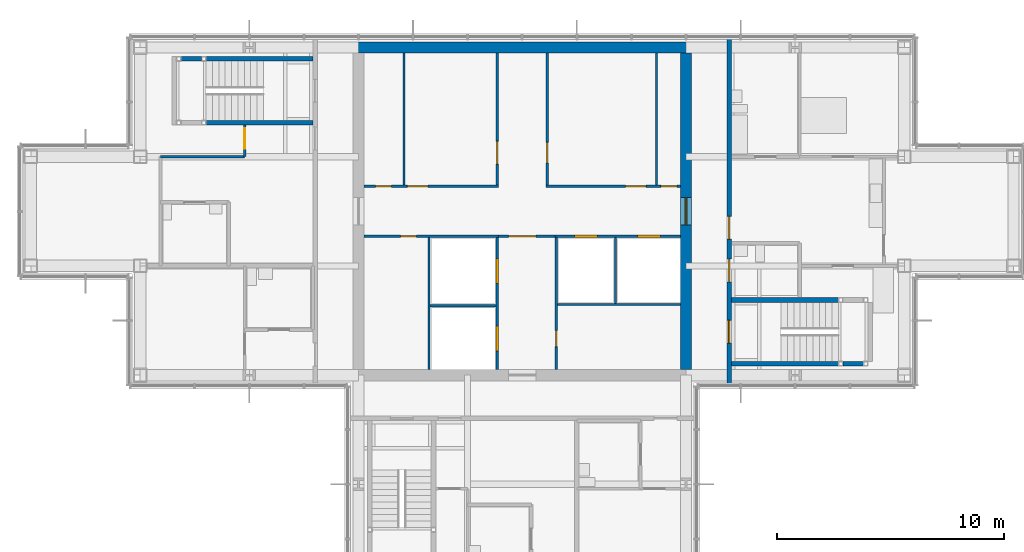
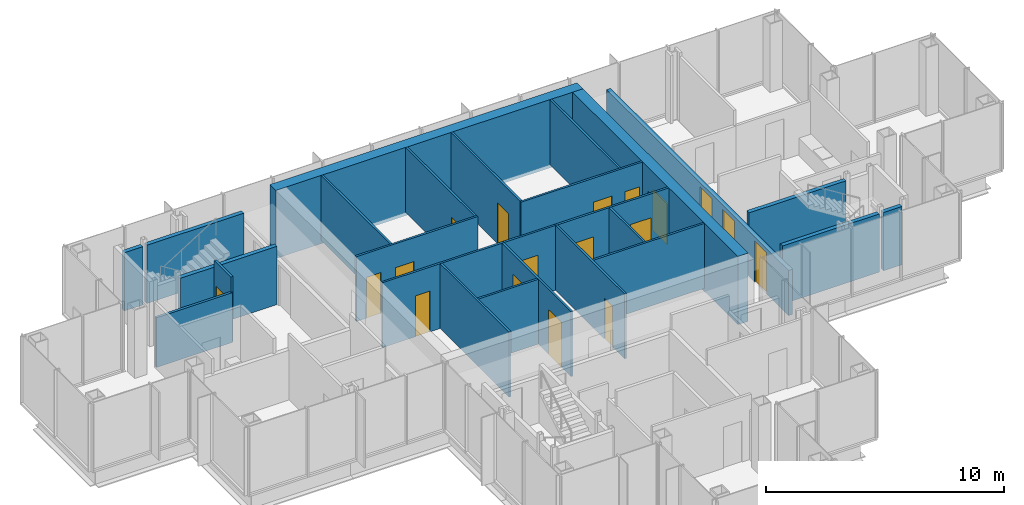
# One storey, part 11 of 15: 26 walls, 18 doors, 18 openings.
"""IFC4 building model written with IfcOpenShell, lengths in metres."""

from ifc_helpers import new_model, si_unit, direction, frame, frame_2d, origin, place, context, subcontext, project, spatial, rectangle, extrude, material, layer, layer_set, type_object, element, fill, save


model = new_model("IFC4")

# Units and contexts
model_context = context("Model", 3, precision=1e-05, world=origin(), true_north=direction((0.0, 1.0)))
body_context = subcontext(model_context, "Body", "Model", "MODEL_VIEW")
ifc_project = project(units=[si_unit("LENGTHUNIT", "METRE"), si_unit("AREAUNIT", "SQUARE_METRE"), si_unit("VOLUMEUNIT", "CUBIC_METRE"), si_unit("PLANEANGLEUNIT", "RADIAN"), si_unit("MASSUNIT", "GRAM", prefix="KILO")], contexts=[model_context])

# Site, building, storey
site_placement = place(None, origin())
site = spatial("IfcSite", under=ifc_project, at=site_placement, CompositionType="ELEMENT")
building_placement = place(site_placement, origin())
building = spatial("IfcBuilding", under=site, at=building_placement, Name="Kvirike Care Tower", CompositionType="ELEMENT")
storey_placement = place(building_placement, frame((0.0, 0.0, 226.0)))
storey = spatial("IfcBuildingStorey", under=building, at=storey_placement, Name="L62", CompositionType="ELEMENT", Elevation=226.0)

# Wall
ifc_material_1 = material(Name="Concrete C40/50", Category="concrete")
ifc_layer_1 = layer(ifc_material_1, 0.5)
ifc_layer_set_1 = layer_set([ifc_layer_1], Name="CORE WALL 500 C40-50")
wall_type_1 = type_object("IfcWallType", Name="CORE WALL 500 C40-50", PredefinedType="SHEAR", material=ifc_layer_set_1)
wall_1_placement = place(storey_placement, frame((29.050048828125, 43.199951171875, -0.169921875), z_axis=(0.0, 0.0, 1.0), x_axis=(-1.0, 0.0, 0.0)))
element("IfcWall", 1, at=wall_1_placement, inside=storey, type_object=wall_type_1, Name="Core wall N L62", PredefinedType="SHEAR", context=body_context, shape_type="SweptSolid", body=[
    extrude(rectangle(XDim=14.900146484375, YDim=0.5, at=frame_2d((7.4501953125, 0.0))), origin(), (0.0, 0.0, 1.0), 3.5),
])

# Wall, opening, door
wall_2_placement = place(storey_placement, frame((28.800048828125, 29.050048828125, -0.169921875), z_axis=(0.0, 0.0, 1.0), x_axis=(0.0, 1.0, 0.0)))
wall_2 = element("IfcWall", 2, at=wall_2_placement, inside=storey, type_object=wall_type_1, Name="Core wall E L62", PredefinedType="SHEAR", context=body_context, shape_type="SweptSolid", body=[
    extrude(rectangle(XDim=13.89990234375, YDim=0.5, at=frame_2d((6.949951171875, 0.0))), origin(), (0.0, 0.0, 1.0), 3.5),
])
opening_1_placement = place(wall_2_placement, frame((6.35009765625, 0.0, 0.169921875)))
opening_1 = element("IfcOpeningElement", 3, at=opening_1_placement, cuts=wall_2, Name="Opening 62-038", PredefinedType="OPENING", context=body_context, shape_type="SweptSolid", body=[
    extrude(rectangle(XDim=1.199951171875, YDim=2.10009765625, at=frame_2d((0.60009765625, 1.050048828125))), frame((0.0, 0.260498046875, 0.0), z_axis=(0.0, -1.0, 0.0), x_axis=(1.0, 0.0, 0.0)), (0.0, 0.0, 1.0), 0.52099609375),
])
ifc_material_2 = material(Name="Timber door set", Category="wood")
door_type_1 = type_object("IfcDoorType", Name="CORE DOOR 1200", OperationType="SINGLE_SWING_LEFT", PredefinedType="DOOR", material=ifc_material_2)
door_1_placement = place(opening_1_placement, origin())
door_1 = element("IfcDoor", 4, at=door_1_placement, inside=storey, type_object=door_type_1, Name="Core door E L62", OperationType="SINGLE_SWING_LEFT", OverallHeight=2.10009765625, OverallWidth=1.199951171875, PredefinedType="DOOR", context=body_context, shape_type="SweptSolid", body=[
    extrude(rectangle(XDim=1.199951171875, YDim=2.10009765625, at=frame_2d((0.60009765625, 1.050048828125))), frame((0.0, 0.02685546875, 0.0), z_axis=(0.0, -1.0, 0.0), x_axis=(1.0, 0.0, 0.0)), (0.0, 0.0, 1.0), 0.053955078125),
])
fill(opening_1, door_1)

# Wall, openings, doors
ifc_material_3 = material(Name="Plasterboard corridor wall", Category="gypsum")
ifc_layer_2 = layer(ifc_material_3, 0.199951171875)
ifc_layer_set_2 = layer_set([ifc_layer_2], Name="CORRIDOR WALL 200")
wall_type_2 = type_object("IfcWallType", Name="CORRIDOR WALL 200", PredefinedType="PARTITIONING", material=ifc_layer_set_2)
wall_3_placement = place(storey_placement, frame((30.699951171875, 28.344970703125, 0.0), z_axis=(0.0, 0.0, 1.0), x_axis=(0.0, 1.0, 0.0)))
wall_3 = element("IfcWall", 5, at=wall_3_placement, inside=storey, type_object=wall_type_2, Name="Corridor Wall 200 L62", PredefinedType="PARTITIONING", context=body_context, shape_type="SweptSolid", body=[
    extrude(rectangle(XDim=15.31005859375, YDim=0.199951171875, at=frame_2d((7.655029296875, 0.0))), origin(), (0.0, 0.0, 1.0), 2.320068359375),
])
opening_2_placement = place(wall_3_placement, frame((1.85498046875, 0.0, 0.0)))
opening_2 = element("IfcOpeningElement", 6, at=opening_2_placement, cuts=wall_3, Name="Opening 62-020", PredefinedType="OPENING", context=body_context, shape_type="SweptSolid", body=[
    extrude(rectangle(XDim=1.0, YDim=2.10009765625, at=frame_2d((0.5, 1.050048828125))), frame((0.0, 0.110595703125, 0.0), z_axis=(0.0, -1.0, 0.0), x_axis=(1.0, 0.0, 0.0)), (0.0, 0.0, 1.0), 0.220947265625),
])
opening_3_placement = place(wall_3_placement, frame((4.554931640625, 0.0, 0.0)))
opening_3 = element("IfcOpeningElement", 7, at=opening_3_placement, cuts=wall_3, Name="Opening 62-021", PredefinedType="OPENING", context=body_context, shape_type="SweptSolid", body=[
    extrude(rectangle(XDim=1.0, YDim=2.10009765625, at=frame_2d((0.5, 1.050048828125))), frame((0.0, 0.110595703125, 0.0), z_axis=(0.0, -1.0, 0.0), x_axis=(1.0, 0.0, 0.0)), (0.0, 0.0, 1.0), 0.220947265625),
])
opening_4_placement = place(wall_3_placement, frame((6.429931640625, 0.0, 0.0)))
opening_4 = element("IfcOpeningElement", 8, at=opening_4_placement, cuts=wall_3, Name="Opening 62-022", PredefinedType="OPENING", context=body_context, shape_type="SweptSolid", body=[
    extrude(rectangle(XDim=1.0, YDim=2.10009765625, at=frame_2d((0.5, 1.050048828125))), frame((0.0, 0.110595703125, 0.0), z_axis=(0.0, -1.0, 0.0), x_axis=(1.0, 0.0, 0.0)), (0.0, 0.0, 1.0), 0.220947265625),
])
ifc_material_4 = material(Name="Timber door set", Category="wood")
door_type_2 = type_object("IfcDoorType", Name="FLAT ENTRANCE DOOR 1000", OperationType="SINGLE_SWING_LEFT", PredefinedType="DOOR", material=ifc_material_4)
door_2_placement = place(opening_4_placement, frame((1.0, 0.0, 0.0), z_axis=(0.0, 0.0, 1.0), x_axis=(-1.0, 0.0, 0.0)))
door_2 = element("IfcDoor", 9, at=door_2_placement, inside=storey, type_object=door_type_2, Name="Two-bedroom apartment entrance", OperationType="SINGLE_SWING_LEFT", OverallHeight=2.10009765625, OverallWidth=1.0, PredefinedType="DOOR", context=body_context, shape_type="SweptSolid", body=[
    extrude(rectangle(XDim=1.0, YDim=2.10009765625, at=frame_2d((0.5, 1.050048828125))), frame((0.0, 0.02685546875, 0.0), z_axis=(0.0, -1.0, 0.0), x_axis=(1.0, 0.0, 0.0)), (0.0, 0.0, 1.0), 0.053955078125),
])
fill(opening_4, door_2)
ifc_material_5 = material(Name="Timber door set", Category="wood")
door_type_3 = type_object("IfcDoorType", Name="STAIR DOOR 1000", OperationType="SINGLE_SWING_LEFT", PredefinedType="DOOR", material=ifc_material_5)
door_3_placement = place(opening_2_placement, frame((1.0, 0.0, 0.0), z_axis=(0.0, 0.0, 1.0), x_axis=(-1.0, 0.0, 0.0)))
door_3 = element("IfcDoor", 10, at=door_3_placement, inside=storey, type_object=door_type_3, Name="Stair 2 door", OperationType="SINGLE_SWING_RIGHT", OverallHeight=2.10009765625, OverallWidth=1.0, PredefinedType="DOOR", context=body_context, shape_type="SweptSolid", body=[
    extrude(rectangle(XDim=1.0, YDim=2.10009765625, at=frame_2d((0.5, 1.050048828125))), frame((0.0, 0.031982421875, 0.0), z_axis=(0.0, -1.0, 0.0), x_axis=(1.0, 0.0, 0.0)), (0.0, 0.0, 1.0), 0.06396484375),
])
fill(opening_2, door_3)
ifc_material_6 = material(Name="Timber door set", Category="wood")
door_type_4 = type_object("IfcDoorType", Name="WC DOOR 1000", OperationType="SINGLE_SWING_LEFT", PredefinedType="DOOR", material=ifc_material_6)
door_4_placement = place(opening_3_placement, frame((1.0, 0.0, 0.0), z_axis=(0.0, 0.0, 1.0), x_axis=(-1.0, 0.0, 0.0)))
door_4 = element("IfcDoor", 11, at=door_4_placement, inside=storey, type_object=door_type_4, Name="Accessible WC door", OperationType="SINGLE_SWING_LEFT", OverallHeight=2.10009765625, OverallWidth=1.0, PredefinedType="DOOR", context=body_context, shape_type="SweptSolid", body=[
    extrude(rectangle(XDim=1.0, YDim=2.10009765625, at=frame_2d((0.5, 1.050048828125))), frame((0.0, 0.02685546875, 0.0), z_axis=(0.0, -1.0, 0.0), x_axis=(1.0, 0.0, 0.0)), (0.0, 0.0, 1.0), 0.053955078125),
])
fill(opening_3, door_4)

# Wall, opening, door
ifc_material_7 = material(Name="Plasterboard partition", Category="gypsum")
ifc_layer_3 = layer(ifc_material_7, 0.1201171875)
ifc_layer_set_3 = layer_set([ifc_layer_3], Name="PARTITION 120")
wall_type_3 = type_object("IfcWallType", Name="PARTITION 120", PredefinedType="PARTITIONING", material=ifc_layer_set_3)
wall_4_placement = place(storey_placement, frame((9.39990234375, 39.800048828125, 0.0), z_axis=(0.0, 0.0, 1.0), x_axis=(0.0, -1.0, 0.0)))
wall_4 = element("IfcWall", 12, at=wall_4_placement, inside=storey, type_object=wall_type_3, Name="Partition 120 L62", PredefinedType="PARTITIONING", context=body_context, shape_type="SweptSolid", body=[
    extrude(rectangle(XDim=1.400146484375, YDim=0.1201171875, at=frame_2d((0.7001953125, 0.0))), origin(), (0.0, 0.0, 1.0), 3.330078125),
])
opening_5_placement = place(wall_4_placement, frame((0.14990234375, 0.0, 0.0)))
opening_5 = element("IfcOpeningElement", 13, at=opening_5_placement, cuts=wall_4, Name="Opening 62-002", PredefinedType="OPENING", context=body_context, shape_type="SweptSolid", body=[
    extrude(rectangle(XDim=0.89990234375, YDim=2.10009765625, at=frame_2d((0.449951171875, 1.050048828125))), frame((0.0, 0.070556640625, 0.0), z_axis=(0.0, -1.0, 0.0), x_axis=(1.0, 0.0, 0.0)), (0.0, 0.0, 1.0), 0.14111328125),
])
ifc_material_8 = material(Name="Timber door set", Category="wood")
door_type_5 = type_object("IfcDoorType", Name="INTERNAL DOOR 900", OperationType="SINGLE_SWING_LEFT", PredefinedType="DOOR", material=ifc_material_8)
door_5_placement = place(opening_5_placement, origin())
door_5 = element("IfcDoor", 14, at=door_5_placement, inside=storey, type_object=door_type_5, Name="Staff training room door", OperationType="SINGLE_SWING_RIGHT", OverallHeight=2.10009765625, OverallWidth=0.89990234375, PredefinedType="DOOR", context=body_context, shape_type="SweptSolid", body=[
    extrude(rectangle(XDim=0.89990234375, YDim=2.10009765625, at=frame_2d((0.449951171875, 1.050048828125))), frame((0.0, 0.02197265625, 0.0), z_axis=(0.0, -1.0, 0.0), x_axis=(1.0, 0.0, 0.0)), (0.0, 0.0, 1.0), 0.0439453125),
])
fill(opening_5, door_5)

# Walls
wall_5_placement = place(storey_placement, frame((5.699951171875, 38.39990234375, 0.0), z_axis=(0.0, 0.0, 1.0), x_axis=(1.0, 0.0, 0.0)))
element("IfcWall", 15, at=wall_5_placement, inside=storey, type_object=wall_type_3, Name="Partition 120 L62", PredefinedType="PARTITIONING", context=body_context, shape_type="SweptSolid", body=[
    extrude(rectangle(XDim=3.699951171875, YDim=0.1201171875, at=frame_2d((1.85009765625, 0.0))), origin(), (0.0, 0.0, 1.0), 2.550048828125),
])
ifc_material_9 = material(Name="Gypsum shaft wall system", Category="gypsum")
ifc_layer_4 = layer(ifc_material_9, 0.10009765625)
ifc_layer_set_4 = layer_set([ifc_layer_4], Name="SHAFT WALL 100")
wall_type_4 = type_object("IfcWallType", Name="SHAFT WALL 100", PredefinedType="SOLIDWALL", material=ifc_layer_set_4)
for number, where, z_axis, x_axis, name in (
    (16, (16.39990234375, 37.14990234375, 0.0), (0.0, 0.0, 1.0), (0.0, 1.0, 0.0), "Shaft Wall 100 L62"),
    (17, (27.5, 37.14990234375, 0.0), (0.0, 0.0, 1.0), (0.0, 1.0, 0.0), "Shaft Wall 100 L62"),
):
    element("IfcWall", number, at=place(storey_placement, frame(where, z_axis=z_axis, x_axis=x_axis)), inside=storey, type_object=wall_type_4, Name=name, PredefinedType="SOLIDWALL", context=body_context, shape_type="SweptSolid", body=[
        extrude(rectangle(XDim=5.800048828125, YDim=0.10009765625, at=frame_2d((2.89990234375, 0.0))), origin(), (0.0, 0.0, 1.0), 3.330078125),
    ])

# Wall, openings, doors
wall_6_placement = place(storey_placement, frame((20.5, 29.050048828125, 0.0), z_axis=(0.0, 0.0, 1.0), x_axis=(0.0, 1.0, 0.0)))
wall_6 = element("IfcWall", 18, at=wall_6_placement, inside=storey, type_object=wall_type_4, Name="Shaft Wall 100 L62", PredefinedType="SOLIDWALL", context=body_context, shape_type="SweptSolid", body=[
    extrude(rectangle(XDim=5.800048828125, YDim=0.10009765625, at=frame_2d((2.89990234375, 0.0))), origin(), (0.0, 0.0, 1.0), 3.330078125),
])
opening_6_placement = place(wall_6_placement, frame((0.800048828125, 0.0, 0.0)))
opening_6 = element("IfcOpeningElement", 19, at=opening_6_placement, cuts=wall_6, Name="Opening 62-023", PredefinedType="OPENING", context=body_context, shape_type="SweptSolid", body=[
    extrude(rectangle(XDim=1.10009765625, YDim=2.300048828125, at=frame_2d((0.550048828125, 1.14990234375))), frame((0.0, 0.060546875, 0.0), z_axis=(0.0, -1.0, 0.0), x_axis=(1.0, 0.0, 0.0)), (0.0, 0.0, 1.0), 0.12109375),
])
opening_7_placement = place(wall_6_placement, frame((3.77490234375, 0.0, 0.0)))
opening_7 = element("IfcOpeningElement", 20, at=opening_7_placement, cuts=wall_6, Name="Opening 62-024", PredefinedType="OPENING", context=body_context, shape_type="SweptSolid", body=[
    extrude(rectangle(XDim=1.10009765625, YDim=2.300048828125, at=frame_2d((0.550048828125, 1.14990234375))), frame((0.0, 0.060546875, 0.0), z_axis=(0.0, -1.0, 0.0), x_axis=(1.0, 0.0, 0.0)), (0.0, 0.0, 1.0), 0.12109375),
])
ifc_material_10 = material(Name="Aluminium door frame", Category="aluminium")
door_type_6 = type_object("IfcDoorType", Name="FIRE-FIGHTING LIFT LANDING DOOR 1100", OperationType="SLIDING_TO_LEFT", PredefinedType="DOOR", material=ifc_material_10)
door_6_placement = place(opening_6_placement, origin())
door_6 = element("IfcDoor", 21, at=door_6_placement, inside=storey, type_object=door_type_6, Name="Lift FF1 landing door", OperationType="SLIDING_TO_LEFT", OverallHeight=2.300048828125, OverallWidth=1.10009765625, PredefinedType="DOOR", context=body_context, shape_type="SweptSolid", body=[
    extrude(rectangle(XDim=1.10009765625, YDim=2.300048828125, at=frame_2d((0.550048828125, 1.14990234375))), frame((0.0, 0.0498046875, 0.0), z_axis=(0.0, -1.0, 0.0), x_axis=(1.0, 0.0, 0.0)), (0.0, 0.0, 1.0), 0.099609375),
])
fill(opening_6, door_6)
door_7_placement = place(opening_7_placement, origin())
door_7 = element("IfcDoor", 22, at=door_7_placement, inside=storey, type_object=door_type_6, Name="Lift FF2 landing door", OperationType="SLIDING_TO_LEFT", OverallHeight=2.300048828125, OverallWidth=1.10009765625, PredefinedType="DOOR", context=body_context, shape_type="SweptSolid", body=[
    extrude(rectangle(XDim=1.10009765625, YDim=2.300048828125, at=frame_2d((0.550048828125, 1.14990234375))), frame((0.0, 0.0498046875, 0.0), z_axis=(0.0, -1.0, 0.0), x_axis=(1.0, 0.0, 0.0)), (0.0, 0.0, 1.0), 0.099609375),
])
fill(opening_7, door_7)

# Wall, opening, door
wall_7_placement = place(storey_placement, frame((20.5, 37.14990234375, 0.0), z_axis=(0.0, 0.0, 1.0), x_axis=(0.0, 1.0, 0.0)))
wall_7 = element("IfcWall", 23, at=wall_7_placement, inside=storey, type_object=wall_type_4, Name="Shaft Wall 100 L62", PredefinedType="SOLIDWALL", context=body_context, shape_type="SweptSolid", body=[
    extrude(rectangle(XDim=5.800048828125, YDim=0.10009765625, at=frame_2d((2.89990234375, 0.0))), origin(), (0.0, 0.0, 1.0), 3.330078125),
])
opening_8_placement = place(wall_7_placement, frame((0.925048828125, 0.0, 0.0)))
opening_8 = element("IfcOpeningElement", 24, at=opening_8_placement, cuts=wall_7, Name="Opening 62-025", PredefinedType="OPENING", context=body_context, shape_type="SweptSolid", body=[
    extrude(rectangle(XDim=1.0, YDim=2.10009765625, at=frame_2d((0.5, 1.050048828125))), frame((0.0, 0.060546875, 0.0), z_axis=(0.0, -1.0, 0.0), x_axis=(1.0, 0.0, 0.0)), (0.0, 0.0, 1.0), 0.12109375),
])
door_8_placement = place(opening_8_placement, origin())
door_8 = element("IfcDoor", 25, at=door_8_placement, inside=storey, type_object=door_type_4, Name="Staff WC door", OperationType="SINGLE_SWING_RIGHT", OverallHeight=2.10009765625, OverallWidth=1.0, PredefinedType="DOOR", context=body_context, shape_type="SweptSolid", body=[
    extrude(rectangle(XDim=1.0, YDim=2.10009765625, at=frame_2d((0.5, 1.050048828125))), frame((0.0, 0.02685546875, 0.0), z_axis=(0.0, -1.0, 0.0), x_axis=(1.0, 0.0, 0.0)), (0.0, 0.0, 1.0), 0.053955078125),
])
fill(opening_8, door_8)

wall_8_placement = place(storey_placement, frame((22.699951171875, 37.14990234375, 0.0), z_axis=(0.0, 0.0, 1.0), x_axis=(0.0, 1.0, 0.0)))
wall_8 = element("IfcWall", 26, at=wall_8_placement, inside=storey, type_object=wall_type_4, Name="Shaft Wall 100 L62", PredefinedType="SOLIDWALL", context=body_context, shape_type="SweptSolid", body=[
    extrude(rectangle(XDim=5.800048828125, YDim=0.10009765625, at=frame_2d((2.89990234375, 0.0))), origin(), (0.0, 0.0, 1.0), 3.330078125),
])
opening_9_placement = place(wall_8_placement, frame((0.97509765625, 0.0, 0.0)))
opening_9 = element("IfcOpeningElement", 27, at=opening_9_placement, cuts=wall_8, Name="Opening 62-026", PredefinedType="OPENING", context=body_context, shape_type="SweptSolid", body=[
    extrude(rectangle(XDim=0.89990234375, YDim=2.10009765625, at=frame_2d((0.449951171875, 1.050048828125))), frame((0.0, 0.060546875, 0.0), z_axis=(0.0, -1.0, 0.0), x_axis=(1.0, 0.0, 0.0)), (0.0, 0.0, 1.0), 0.12109375),
])
ifc_material_11 = material(Name="Timber door set", Category="wood")
door_type_7 = type_object("IfcDoorType", Name="STORE DOOR 900", OperationType="SINGLE_SWING_LEFT", PredefinedType="DOOR", material=ifc_material_11)
door_9_placement = place(opening_9_placement, frame((0.89990234375, 0.0, 0.0), z_axis=(0.0, 0.0, 1.0), x_axis=(-1.0, 0.0, 0.0)))
door_9 = element("IfcDoor", 28, at=door_9_placement, inside=storey, type_object=door_type_7, Name="Housekeeping office door", OperationType="SINGLE_SWING_LEFT", OverallHeight=2.10009765625, OverallWidth=0.89990234375, PredefinedType="DOOR", context=body_context, shape_type="SweptSolid", body=[
    extrude(rectangle(XDim=0.89990234375, YDim=2.10009765625, at=frame_2d((0.449951171875, 1.050048828125))), frame((0.0, 0.02685546875, 0.0), z_axis=(0.0, -1.0, 0.0), x_axis=(1.0, 0.0, 0.0)), (0.0, 0.0, 1.0), 0.053955078125),
])
fill(opening_9, door_9)

wall_9_placement = place(storey_placement, frame((23.10009765625, 29.050048828125, 0.0), z_axis=(0.0, 0.0, 1.0), x_axis=(0.0, 1.0, 0.0)))
wall_9 = element("IfcWall", 29, at=wall_9_placement, inside=storey, type_object=wall_type_4, Name="Shaft Wall 100 L62", PredefinedType="SOLIDWALL", context=body_context, shape_type="SweptSolid", body=[
    extrude(rectangle(XDim=5.800048828125, YDim=0.10009765625, at=frame_2d((2.89990234375, 0.0))), origin(), (0.0, 0.0, 1.0), 3.330078125),
])
opening_10_placement = place(wall_9_placement, frame((1.0, 0.0, 0.0)))
opening_10 = element("IfcOpeningElement", 30, at=opening_10_placement, cuts=wall_9, Name="Opening 62-027", PredefinedType="OPENING", context=body_context, shape_type="SweptSolid", body=[
    extrude(rectangle(XDim=0.699951171875, YDim=2.10009765625, at=frame_2d((0.35009765625, 1.050048828125))), frame((0.0, 0.060546875, 0.0), z_axis=(0.0, -1.0, 0.0), x_axis=(1.0, 0.0, 0.0)), (0.0, 0.0, 1.0), 0.12109375),
])
ifc_material_12 = material(Name="Timber door set", Category="wood")
door_type_8 = type_object("IfcDoorType", Name="RISER DOOR 700", OperationType="SINGLE_SWING_LEFT", PredefinedType="DOOR", material=ifc_material_12)
door_10_placement = place(opening_10_placement, origin())
door_10 = element("IfcDoor", 31, at=door_10_placement, inside=storey, type_object=door_type_8, Name="Riser door", OperationType="SINGLE_SWING_RIGHT", OverallHeight=2.10009765625, OverallWidth=0.699951171875, PredefinedType="DOOR", context=body_context, shape_type="SweptSolid", body=[
    extrude(rectangle(XDim=0.699951171875, YDim=2.10009765625, at=frame_2d((0.35009765625, 1.050048828125))), frame((0.0, 0.02685546875, 0.0), z_axis=(0.0, -1.0, 0.0), x_axis=(1.0, 0.0, 0.0)), (0.0, 0.0, 1.0), 0.053955078125),
])
fill(opening_10, door_10)

wall_10_placement = place(storey_placement, frame((14.64990234375, 34.89990234375, 0.0), z_axis=(0.0, 0.0, 1.0), x_axis=(1.0, 0.0, 0.0)))
wall_10 = element("IfcWall", 32, at=wall_10_placement, inside=storey, type_object=wall_type_4, Name="Shaft Wall 100 L62", PredefinedType="SOLIDWALL", context=body_context, shape_type="SweptSolid", body=[
    extrude(rectangle(XDim=5.900146484375, YDim=0.10009765625, at=frame_2d((2.9501953125, 0.0))), origin(), (0.0, 0.0, 1.0), 3.330078125),
])
opening_11_placement = place(wall_10_placement, frame((1.60009765625, 0.0, 0.0)))
opening_11 = element("IfcOpeningElement", 33, at=opening_11_placement, cuts=wall_10, Name="Opening 62-028", PredefinedType="OPENING", context=body_context, shape_type="SweptSolid", body=[
    extrude(rectangle(XDim=0.699951171875, YDim=2.10009765625, at=frame_2d((0.35009765625, 1.050048828125))), frame((0.0, 0.060546875, 0.0), z_axis=(0.0, -1.0, 0.0), x_axis=(1.0, 0.0, 0.0)), (0.0, 0.0, 1.0), 0.12109375),
])
door_11_placement = place(opening_11_placement, frame((0.699951171875, 0.0, 0.0), z_axis=(0.0, 0.0, 1.0), x_axis=(-1.0, 0.0, 0.0)))
door_11 = element("IfcDoor", 34, at=door_11_placement, inside=storey, type_object=door_type_8, Name="Riser door", OperationType="SINGLE_SWING_RIGHT", OverallHeight=2.10009765625, OverallWidth=0.699951171875, PredefinedType="DOOR", context=body_context, shape_type="SweptSolid", body=[
    extrude(rectangle(XDim=0.699951171875, YDim=2.10009765625, at=frame_2d((0.35009765625, 1.050048828125))), frame((0.0, 0.02685546875, 0.0), z_axis=(0.0, -1.0, 0.0), x_axis=(1.0, 0.0, 0.0)), (0.0, 0.0, 1.0), 0.053955078125),
])
fill(opening_11, door_11)

# Wall, openings, doors
wall_11_placement = place(storey_placement, frame((23.050048828125, 34.89990234375, 0.0), z_axis=(0.0, 0.0, 1.0), x_axis=(1.0, 0.0, 0.0)))
wall_11 = element("IfcWall", 35, at=wall_11_placement, inside=storey, type_object=wall_type_4, Name="Shaft Wall 100 L62", PredefinedType="SOLIDWALL", context=body_context, shape_type="SweptSolid", body=[
    extrude(rectangle(XDim=5.5, YDim=0.10009765625, at=frame_2d((2.75, 0.0))), origin(), (0.0, 0.0, 1.0), 3.330078125),
])
opening_12_placement = place(wall_11_placement, frame((0.85009765625, 0.0, 0.0)))
opening_12 = element("IfcOpeningElement", 36, at=opening_12_placement, cuts=wall_11, Name="Opening 62-029", PredefinedType="OPENING", context=body_context, shape_type="SweptSolid", body=[
    extrude(rectangle(XDim=1.0, YDim=2.10009765625, at=frame_2d((0.5, 1.050048828125))), frame((0.0, 0.060546875, 0.0), z_axis=(0.0, -1.0, 0.0), x_axis=(1.0, 0.0, 0.0)), (0.0, 0.0, 1.0), 0.12109375),
])
opening_13_placement = place(wall_11_placement, frame((3.625, 0.0, 0.0)))
opening_13 = element("IfcOpeningElement", 37, at=opening_13_placement, cuts=wall_11, Name="Opening 62-030", PredefinedType="OPENING", context=body_context, shape_type="SweptSolid", body=[
    extrude(rectangle(XDim=1.0, YDim=2.10009765625, at=frame_2d((0.5, 1.050048828125))), frame((0.0, 0.060546875, 0.0), z_axis=(0.0, -1.0, 0.0), x_axis=(1.0, 0.0, 0.0)), (0.0, 0.0, 1.0), 0.12109375),
])
ifc_material_13 = material(Name="Aluminium door frame", Category="aluminium")
door_type_9 = type_object("IfcDoorType", Name="LIFT LANDING DOOR 1000", OperationType="SLIDING_TO_LEFT", PredefinedType="DOOR", material=ifc_material_13)
door_12_placement = place(opening_12_placement, origin())
door_12 = element("IfcDoor", 38, at=door_12_placement, inside=storey, type_object=door_type_9, Name="Lift P5 landing door", OperationType="SLIDING_TO_LEFT", OverallHeight=2.10009765625, OverallWidth=1.0, PredefinedType="DOOR", context=body_context, shape_type="SweptSolid", body=[
    extrude(rectangle(XDim=1.0, YDim=2.10009765625, at=frame_2d((0.5, 1.050048828125))), frame((0.0, 0.0498046875, 0.0), z_axis=(0.0, -1.0, 0.0), x_axis=(1.0, 0.0, 0.0)), (0.0, 0.0, 1.0), 0.099609375),
])
fill(opening_12, door_12)
door_13_placement = place(opening_13_placement, origin())
door_13 = element("IfcDoor", 39, at=door_13_placement, inside=storey, type_object=door_type_9, Name="Lift P6 landing door", OperationType="SLIDING_TO_LEFT", OverallHeight=2.10009765625, OverallWidth=1.0, PredefinedType="DOOR", context=body_context, shape_type="SweptSolid", body=[
    extrude(rectangle(XDim=1.0, YDim=2.10009765625, at=frame_2d((0.5, 1.050048828125))), frame((0.0, 0.0498046875, 0.0), z_axis=(0.0, -1.0, 0.0), x_axis=(1.0, 0.0, 0.0)), (0.0, 0.0, 1.0), 0.099609375),
])
fill(opening_13, door_13)

wall_12_placement = place(storey_placement, frame((14.64990234375, 37.10009765625, 0.0), z_axis=(0.0, 0.0, 1.0), x_axis=(1.0, 0.0, 0.0)))
wall_12 = element("IfcWall", 40, at=wall_12_placement, inside=storey, type_object=wall_type_4, Name="Shaft Wall 100 L62", PredefinedType="SOLIDWALL", context=body_context, shape_type="SweptSolid", body=[
    extrude(rectangle(XDim=5.900146484375, YDim=0.10009765625, at=frame_2d((2.9501953125, 0.0))), origin(), (0.0, 0.0, 1.0), 3.330078125),
])
opening_14_placement = place(wall_12_placement, frame((0.5, 0.0, 0.0)))
opening_14 = element("IfcOpeningElement", 41, at=opening_14_placement, cuts=wall_12, Name="Opening 62-031", PredefinedType="OPENING", context=body_context, shape_type="SweptSolid", body=[
    extrude(rectangle(XDim=0.699951171875, YDim=2.10009765625, at=frame_2d((0.35009765625, 1.050048828125))), frame((0.0, 0.060546875, 0.0), z_axis=(0.0, -1.0, 0.0), x_axis=(1.0, 0.0, 0.0)), (0.0, 0.0, 1.0), 0.12109375),
])
opening_15_placement = place(wall_12_placement, frame((1.89990234375, 0.0, 0.0)))
opening_15 = element("IfcOpeningElement", 42, at=opening_15_placement, cuts=wall_12, Name="Opening 62-032", PredefinedType="OPENING", context=body_context, shape_type="SweptSolid", body=[
    extrude(rectangle(XDim=0.89990234375, YDim=2.10009765625, at=frame_2d((0.449951171875, 1.050048828125))), frame((0.0, 0.060546875, 0.0), z_axis=(0.0, -1.0, 0.0), x_axis=(1.0, 0.0, 0.0)), (0.0, 0.0, 1.0), 0.12109375),
])
door_14_placement = place(opening_14_placement, origin())
door_14 = element("IfcDoor", 43, at=door_14_placement, inside=storey, type_object=door_type_8, Name="Riser door", OperationType="SINGLE_SWING_RIGHT", OverallHeight=2.10009765625, OverallWidth=0.699951171875, PredefinedType="DOOR", context=body_context, shape_type="SweptSolid", body=[
    extrude(rectangle(XDim=0.699951171875, YDim=2.10009765625, at=frame_2d((0.35009765625, 1.050048828125))), frame((0.0, 0.02685546875, 0.0), z_axis=(0.0, -1.0, 0.0), x_axis=(1.0, 0.0, 0.0)), (0.0, 0.0, 1.0), 0.053955078125),
])
fill(opening_14, door_14)
door_15_placement = place(opening_15_placement, origin())
door_15 = element("IfcDoor", 44, at=door_15_placement, inside=storey, type_object=door_type_7, Name="Staff changing room door", OperationType="SINGLE_SWING_RIGHT", OverallHeight=2.10009765625, OverallWidth=0.89990234375, PredefinedType="DOOR", context=body_context, shape_type="SweptSolid", body=[
    extrude(rectangle(XDim=0.89990234375, YDim=2.10009765625, at=frame_2d((0.449951171875, 1.050048828125))), frame((0.0, 0.02685546875, 0.0), z_axis=(0.0, -1.0, 0.0), x_axis=(1.0, 0.0, 0.0)), (0.0, 0.0, 1.0), 0.053955078125),
])
fill(opening_15, door_15)

wall_13_placement = place(storey_placement, frame((22.64990234375, 37.10009765625, 0.0), z_axis=(0.0, 0.0, 1.0), x_axis=(1.0, 0.0, 0.0)))
wall_13 = element("IfcWall", 45, at=wall_13_placement, inside=storey, type_object=wall_type_4, Name="Shaft Wall 100 L62", PredefinedType="SOLIDWALL", context=body_context, shape_type="SweptSolid", body=[
    extrude(rectangle(XDim=5.900146484375, YDim=0.10009765625, at=frame_2d((2.9501953125, 0.0))), origin(), (0.0, 0.0, 1.0), 3.330078125),
])
opening_16_placement = place(wall_13_placement, frame((3.5, 0.0, 0.0)))
opening_16 = element("IfcOpeningElement", 46, at=opening_16_placement, cuts=wall_13, Name="Opening 62-033", PredefinedType="OPENING", context=body_context, shape_type="SweptSolid", body=[
    extrude(rectangle(XDim=0.89990234375, YDim=2.10009765625, at=frame_2d((0.449951171875, 1.050048828125))), frame((0.0, 0.060546875, 0.0), z_axis=(0.0, -1.0, 0.0), x_axis=(1.0, 0.0, 0.0)), (0.0, 0.0, 1.0), 0.12109375),
])
opening_17_placement = place(wall_13_placement, frame((5.050048828125, 0.0, 0.0)))
opening_17 = element("IfcOpeningElement", 47, at=opening_17_placement, cuts=wall_13, Name="Opening 62-034", PredefinedType="OPENING", context=body_context, shape_type="SweptSolid", body=[
    extrude(rectangle(XDim=0.699951171875, YDim=2.10009765625, at=frame_2d((0.35009765625, 1.050048828125))), frame((0.0, 0.060546875, 0.0), z_axis=(0.0, -1.0, 0.0), x_axis=(1.0, 0.0, 0.0)), (0.0, 0.0, 1.0), 0.12109375),
])
door_16_placement = place(opening_17_placement, origin())
door_16 = element("IfcDoor", 48, at=door_16_placement, inside=storey, type_object=door_type_8, Name="Riser door", OperationType="SINGLE_SWING_RIGHT", OverallHeight=2.10009765625, OverallWidth=0.699951171875, PredefinedType="DOOR", context=body_context, shape_type="SweptSolid", body=[
    extrude(rectangle(XDim=0.699951171875, YDim=2.10009765625, at=frame_2d((0.35009765625, 1.050048828125))), frame((0.0, 0.02685546875, 0.0), z_axis=(0.0, -1.0, 0.0), x_axis=(1.0, 0.0, 0.0)), (0.0, 0.0, 1.0), 0.053955078125),
])
fill(opening_17, door_16)
door_17_placement = place(opening_16_placement, origin())
door_17 = element("IfcDoor", 49, at=door_17_placement, inside=storey, type_object=door_type_7, Name="Housekeeping office door", OperationType="SINGLE_SWING_LEFT", OverallHeight=2.10009765625, OverallWidth=0.89990234375, PredefinedType="DOOR", context=body_context, shape_type="SweptSolid", body=[
    extrude(rectangle(XDim=0.89990234375, YDim=2.10009765625, at=frame_2d((0.449951171875, 1.050048828125))), frame((0.0, 0.02685546875, 0.0), z_axis=(0.0, -1.0, 0.0), x_axis=(1.0, 0.0, 0.0)), (0.0, 0.0, 1.0), 0.053955078125),
])
fill(opening_16, door_17)

# Wall, opening, door
wall_14_placement = place(storey_placement, frame((20.550048828125, 34.89990234375, 0.0), z_axis=(0.0, 0.0, 1.0), x_axis=(1.0, 0.0, 0.0)))
wall_14 = element("IfcWall", 50, at=wall_14_placement, inside=storey, type_object=wall_type_4, Name="Shaft Wall 100 L62", PredefinedType="SOLIDWALL", context=body_context, shape_type="SweptSolid", body=[
    extrude(rectangle(XDim=2.5, YDim=0.10009765625, at=frame_2d((1.25, 0.0))), origin(), (0.0, 0.0, 1.0), 3.330078125),
])
opening_18_placement = place(wall_14_placement, frame((0.449951171875, 0.0, 0.0)))
opening_18 = element("IfcOpeningElement", 51, at=opening_18_placement, cuts=wall_14, Name="Opening 62-035", PredefinedType="OPENING", context=body_context, shape_type="SweptSolid", body=[
    extrude(rectangle(XDim=1.199951171875, YDim=2.10009765625, at=frame_2d((0.60009765625, 1.050048828125))), frame((0.0, 0.060546875, 0.0), z_axis=(0.0, -1.0, 0.0), x_axis=(1.0, 0.0, 0.0)), (0.0, 0.0, 1.0), 0.12109375),
])
door_18_placement = place(opening_18_placement, frame((1.199951171875, 0.0, 0.0), z_axis=(0.0, 0.0, 1.0), x_axis=(-1.0, 0.0, 0.0)))
door_18 = element("IfcDoor", 52, at=door_18_placement, inside=storey, type_object=door_type_1, Name="Fire-fighting lobby door", OperationType="SINGLE_SWING_LEFT", OverallHeight=2.10009765625, OverallWidth=1.199951171875, PredefinedType="DOOR", context=body_context, shape_type="SweptSolid", body=[
    extrude(rectangle(XDim=1.199951171875, YDim=2.10009765625, at=frame_2d((0.60009765625, 1.050048828125))), frame((0.0, 0.02685546875, 0.0), z_axis=(0.0, -1.0, 0.0), x_axis=(1.0, 0.0, 0.0)), (0.0, 0.0, 1.0), 0.053955078125),
])
fill(opening_18, door_18)

# Walls
wall_15_placement = place(storey_placement, frame((17.5, 29.050048828125, 0.0), z_axis=(0.0, 0.0, 1.0), x_axis=(0.0, 1.0, 0.0)))
element("IfcWall", 53, at=wall_15_placement, inside=storey, type_object=wall_type_4, Name="Shaft Wall 100 L62", PredefinedType="SOLIDWALL", context=body_context, shape_type="SweptSolid", body=[
    extrude(rectangle(XDim=5.800048828125, YDim=0.10009765625, at=frame_2d((2.89990234375, 0.0))), origin(), (0.0, 0.0, 1.0), 3.330078125),
])
wall_16_placement = place(storey_placement, frame((17.550048828125, 31.85009765625, 0.0), z_axis=(0.0, 0.0, 1.0), x_axis=(1.0, 0.0, 0.0)))
element("IfcWall", 54, at=wall_16_placement, inside=storey, type_object=wall_type_4, Name="Shaft Wall 100 L62", PredefinedType="SOLIDWALL", context=body_context, shape_type="SweptSolid", body=[
    extrude(rectangle(XDim=2.89990234375, YDim=0.10009765625, at=frame_2d((1.449951171875, 0.0))), origin(), (0.0, 0.0, 1.0), 3.330078125),
])
wall_17_placement = place(storey_placement, frame((25.699951171875, 31.949951171875, 0.0), z_axis=(0.0, 0.0, 1.0), x_axis=(0.0, 1.0, 0.0)))
element("IfcWall", 55, at=wall_17_placement, inside=storey, type_object=wall_type_4, Name="Shaft Wall 100 L62", PredefinedType="SOLIDWALL", context=body_context, shape_type="SweptSolid", body=[
    extrude(rectangle(XDim=2.900146484375, YDim=0.10009765625, at=frame_2d((1.4501953125, 0.0))), origin(), (0.0, 0.0, 1.0), 3.330078125),
])
wall_18_placement = place(storey_placement, frame((23.14990234375, 31.89990234375, 0.0), z_axis=(0.0, 0.0, 1.0), x_axis=(1.0, 0.0, 0.0)))
element("IfcWall", 56, at=wall_18_placement, inside=storey, type_object=wall_type_4, Name="Shaft Wall 100 L62", PredefinedType="SOLIDWALL", context=body_context, shape_type="SweptSolid", body=[
    extrude(rectangle(XDim=5.400146484375, YDim=0.10009765625, at=frame_2d((2.7001953125, 0.0))), origin(), (0.0, 0.0, 1.0), 3.330078125),
])
ifc_material_14 = material(Name="Concrete C40/50", Category="concrete")
ifc_layer_5 = layer(ifc_material_14, 0.199951171875)
ifc_layer_set_5 = layer_set([ifc_layer_5], Name="STAIR WALL 200")
wall_type_5 = type_object("IfcWallType", Name="STAIR WALL 200", PredefinedType="SOLIDWALL", material=ifc_layer_set_5)
wall_19_placement = place(storey_placement, frame((6.60009765625, 42.699951171875, 0.0), z_axis=(0.0, 0.0, 1.0), x_axis=(1.0, 0.0, 0.0)))
element("IfcWall", 57, at=wall_19_placement, inside=storey, type_object=wall_type_5, Name="Stair Wall 200 L62", PredefinedType="SOLIDWALL", context=body_context, shape_type="SweptSolid", body=[
    extrude(rectangle(XDim=0.89990234375, YDim=0.199951171875, at=frame_2d((0.449951171875, 0.0))), origin(), (0.0, 0.0, 1.0), 2.989990234375),
])
for number, where, z_axis, x_axis, name in (
    (58, (7.699951171875, 42.699951171875, 0.0), (0.0, 0.0, 1.0), (1.0, 0.0, 0.0), "Stair Wall 200 L62"),
    (59, (7.699951171875, 39.89990234375, 0.0), (0.0, 0.0, 1.0), (1.0, 0.0, 0.0), "Stair Wall 200 L62"),
):
    element("IfcWall", number, at=place(storey_placement, frame(where, z_axis=z_axis, x_axis=x_axis)), inside=storey, type_object=wall_type_5, Name=name, PredefinedType="SOLIDWALL", context=body_context, shape_type="SweptSolid", body=[
        extrude(rectangle(XDim=4.699951171875, YDim=0.199951171875, at=frame_2d((2.35009765625, 0.0))), origin(), (0.0, 0.0, 1.0), 2.989990234375),
    ])
wall_20_placement = place(storey_placement, frame((36.60009765625, 29.300048828125, 0.0), z_axis=(0.0, 0.0, 1.0), x_axis=(-1.0, 0.0, 0.0)))
element("IfcWall", 60, at=wall_20_placement, inside=storey, type_object=wall_type_5, Name="Stair Wall 200 L62", PredefinedType="SOLIDWALL", context=body_context, shape_type="SweptSolid", body=[
    extrude(rectangle(XDim=0.900146484375, YDim=0.199951171875, at=frame_2d((0.4501953125, 0.0))), origin(), (0.0, 0.0, 1.0), 2.989990234375),
])
for number, where, z_axis, x_axis, name in (
    (61, (35.5, 29.300048828125, 0.0), (0.0, 0.0, 1.0), (-1.0, 0.0, 0.0), "Stair Wall 200 L62"),
    (62, (35.5, 32.10009765625, 0.0), (0.0, 0.0, 1.0), (-1.0, 0.0, 0.0), "Stair Wall 200 L62"),
):
    element("IfcWall", number, at=place(storey_placement, frame(where, z_axis=z_axis, x_axis=x_axis)), inside=storey, type_object=wall_type_5, Name=name, PredefinedType="SOLIDWALL", context=body_context, shape_type="SweptSolid", body=[
        extrude(rectangle(XDim=4.699951171875, YDim=0.199951171875, at=frame_2d((2.35009765625, 0.0))), origin(), (0.0, 0.0, 1.0), 2.989990234375),
    ])

save(model, "model.ifc")
